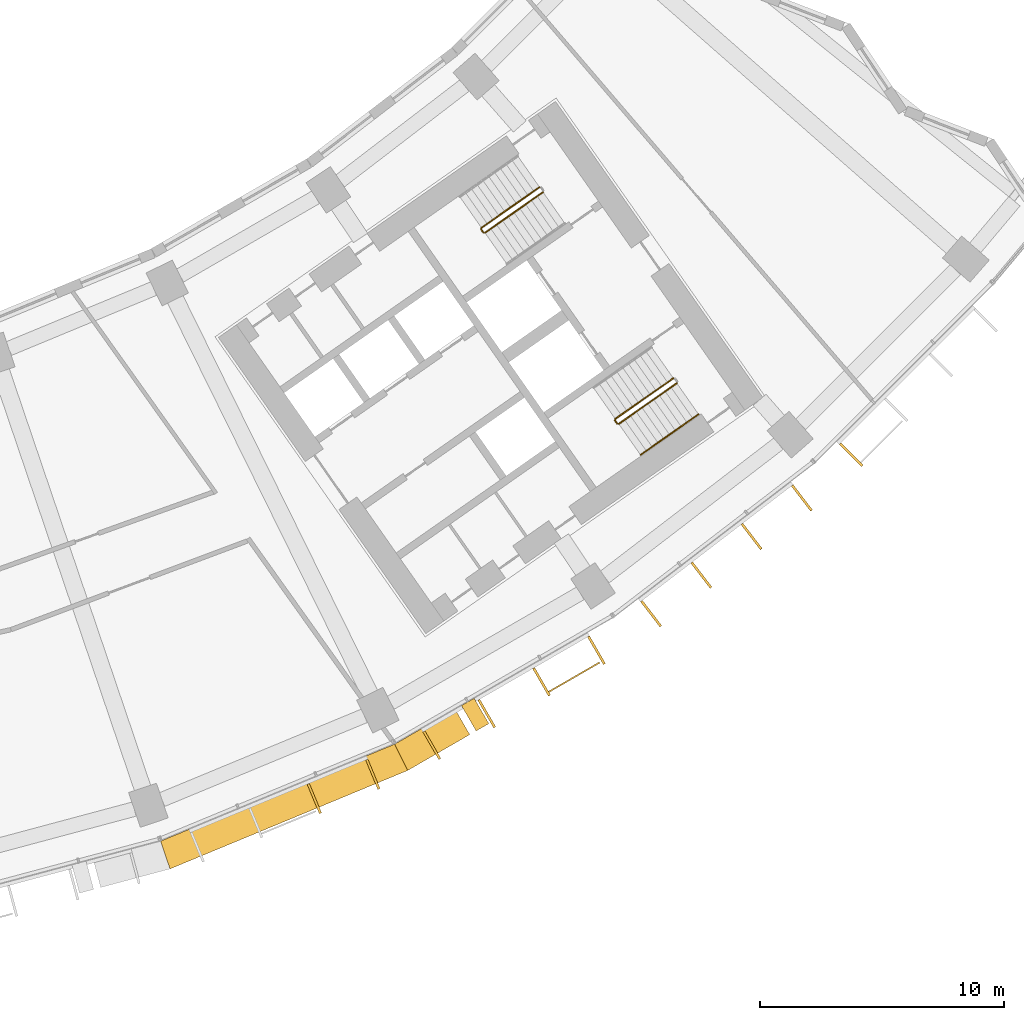
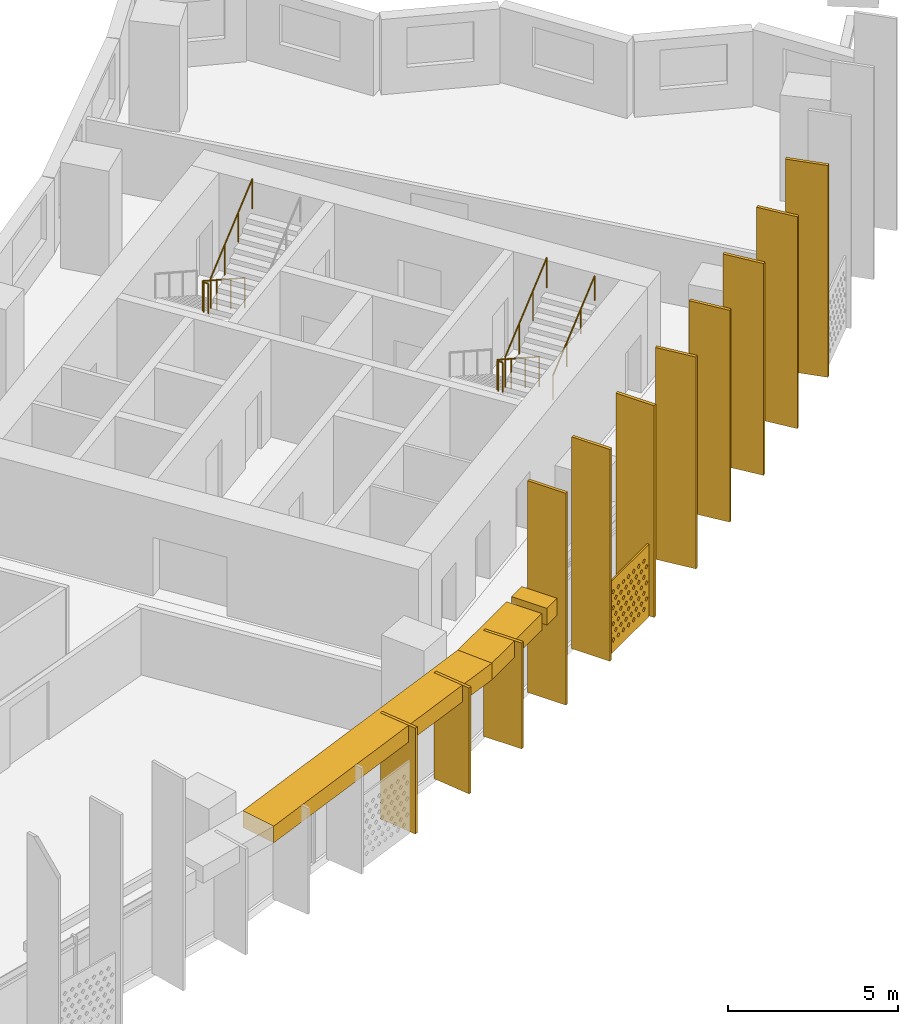
# One storey, part 28 of 29: 15 shading devices, 5 railings.
"""IFC4 building model written with IfcOpenShell, lengths in metres."""

from ifc_helpers import new_model, si_unit, direction, frame, origin, origin_2d, place, context, subcontext, project, spatial, polyline, rectangle, circle, outline, extrude, material, material_profile, profile_set, type_object, element, save


model = new_model("IFC4")

# Units and contexts
model_context = context("Model", 3, precision=1e-05, world=origin(), true_north=direction((0.0, 1.0)))
body_context = subcontext(model_context, "Body", "Model", "MODEL_VIEW")
ifc_project = project(units=[si_unit("LENGTHUNIT", "METRE"), si_unit("AREAUNIT", "SQUARE_METRE"), si_unit("VOLUMEUNIT", "CUBIC_METRE"), si_unit("PLANEANGLEUNIT", "RADIAN"), si_unit("MASSUNIT", "GRAM", prefix="KILO")], contexts=[model_context])

# Site, building, storey
site_placement = place(None, origin())
site = spatial("IfcSite", under=ifc_project, at=site_placement, CompositionType="ELEMENT")
building_placement = place(site_placement, origin())
building = spatial("IfcBuilding", under=site, at=building_placement, Name="Qamariyya Broadcast Tower", CompositionType="ELEMENT")
storey_placement = place(building_placement, frame((0.0, 0.0, 132.89990234375)))
storey = spatial("IfcBuildingStorey", under=building, at=storey_placement, Name="L30", CompositionType="ELEMENT", Elevation=132.89990234375)

# Shading devices
ifc_material_1 = material(Name="Steel S355 powder coated deep red", Category="steel")
shading_device_type_1 = type_object("IfcShadingDeviceType", Name="Deep red frame, powder coated steel box section", PredefinedType="USERDEFINED", material=ifc_material_1)
shading_device_1_placement = place(storey_placement, frame((0.0, 0.0, 3.2001953125)))
element("IfcShadingDevice", 1, at=shading_device_1_placement, inside=storey, type_object=shading_device_type_1, Name="e-frm-B2-F3-postb-L30", ObjectType="FRAME", PredefinedType="USERDEFINED", context=body_context, shape_type="SweptSolid", body=[
    extrude(outline(polyline([(37.80810546875, -69.543212890625), (38.408203125, -70.58251953125), (38.927734375, -70.282470703125), (38.32763671875, -69.2431640625), (37.80810546875, -69.543212890625)])), origin(), (0.0, 0.0, 1.0), 0.599853515625),
])
shading_device_2_placement = place(storey_placement, frame((0.0, 0.0, 3.2001953125)))
element("IfcShadingDevice", 2, at=shading_device_2_placement, inside=storey, type_object=shading_device_type_1, Name="e-frm-B2-F3-bot1", ObjectType="FRAME", PredefinedType="USERDEFINED", context=body_context, shape_type="SweptSolid", body=[
    extrude(outline(polyline([(25.490234375, -75.091552734375), (25.876708984375, -76.230224609375), (35.60546875, -72.20068359375), (35.073486328125, -71.1220703125), (25.490234375, -75.091552734375)])), origin(), (0.0, 0.0, 1.0), 0.599853515625),
])
shading_device_3_placement = place(storey_placement, frame((0.0, 0.0, 3.2001953125)))
element("IfcShadingDevice", 3, at=shading_device_3_placement, inside=storey, type_object=shading_device_type_1, Name="e-frm-B2-F3-bot2", ObjectType="FRAME", PredefinedType="USERDEFINED", context=body_context, shape_type="SweptSolid", body=[
    extrude(outline(polyline([(35.073486328125, -71.1220703125), (35.60546875, -72.20068359375), (38.148193359375, -70.732421875), (37.54833984375, -69.693115234375), (35.073486328125, -71.1220703125)])), origin(), (0.0, 0.0, 1.0), 0.599853515625),
])
ifc_material_2 = material(Name="Perforated glazed terracotta", Category="masonry")
ifc_material_profile_1 = material_profile(ifc_material_2, outline(polyline([(-1.199951171875, -1.300048828125), (1.199951171875, -1.300048828125), (1.199951171875, 1.300048828125), (-1.199951171875, 1.300048828125), (-1.199951171875, -1.300048828125)]), holes=[polyline([(-0.81494140625, -0.86669921875), (-0.89990234375, -0.78173828125), (-0.985107421875, -0.86669921875), (-0.89990234375, -0.95166015625), (-0.81494140625, -0.86669921875)]), polyline([(-0.514892578125, -0.86669921875), (-0.60009765625, -0.78173828125), (-0.68505859375, -0.86669921875), (-0.60009765625, -0.95166015625), (-0.514892578125, -0.86669921875)]), polyline([(-0.215087890625, -0.86669921875), (-0.300048828125, -0.78173828125), (-0.385009765625, -0.86669921875), (-0.300048828125, -0.95166015625), (-0.215087890625, -0.86669921875)]), polyline([(0.0849609375, -0.86669921875), (0.0, -0.78173828125), (-0.0849609375, -0.86669921875), (0.0, -0.95166015625), (0.0849609375, -0.86669921875)]), polyline([(0.385009765625, -0.86669921875), (0.300048828125, -0.78173828125), (0.215087890625, -0.86669921875), (0.300048828125, -0.95166015625), (0.385009765625, -0.86669921875)]), polyline([(0.68505859375, -0.86669921875), (0.60009765625, -0.78173828125), (0.514892578125, -0.86669921875), (0.60009765625, -0.95166015625), (0.68505859375, -0.86669921875)]), polyline([(0.985107421875, -0.86669921875), (0.89990234375, -0.78173828125), (0.81494140625, -0.86669921875), (0.89990234375, -0.95166015625), (0.985107421875, -0.86669921875)]), polyline([(-0.965087890625, -0.577880859375), (-1.050048828125, -0.49267578125), (-1.135009765625, -0.577880859375), (-1.050048828125, -0.662841796875), (-0.965087890625, -0.577880859375)]), polyline([(-0.6650390625, -0.577880859375), (-0.75, -0.49267578125), (-0.8349609375, -0.577880859375), (-0.75, -0.662841796875), (-0.6650390625, -0.577880859375)]), polyline([(-0.364990234375, -0.577880859375), (-0.449951171875, -0.49267578125), (-0.534912109375, -0.577880859375), (-0.449951171875, -0.662841796875), (-0.364990234375, -0.577880859375)]), polyline([(-0.06494140625, -0.577880859375), (-0.14990234375, -0.49267578125), (-0.235107421875, -0.577880859375), (-0.14990234375, -0.662841796875), (-0.06494140625, -0.577880859375)]), polyline([(0.235107421875, -0.577880859375), (0.14990234375, -0.49267578125), (0.06494140625, -0.577880859375), (0.14990234375, -0.662841796875), (0.235107421875, -0.577880859375)]), polyline([(0.534912109375, -0.577880859375), (0.449951171875, -0.49267578125), (0.364990234375, -0.577880859375), (0.449951171875, -0.662841796875), (0.534912109375, -0.577880859375)]), polyline([(0.8349609375, -0.577880859375), (0.75, -0.49267578125), (0.6650390625, -0.577880859375), (0.75, -0.662841796875), (0.8349609375, -0.577880859375)]), polyline([(1.135009765625, -0.577880859375), (1.050048828125, -0.49267578125), (0.965087890625, -0.577880859375), (1.050048828125, -0.662841796875), (1.135009765625, -0.577880859375)]), polyline([(-0.81494140625, -0.288818359375), (-0.89990234375, -0.203857421875), (-0.985107421875, -0.288818359375), (-0.89990234375, -0.373779296875), (-0.81494140625, -0.288818359375)]), polyline([(-0.514892578125, -0.288818359375), (-0.60009765625, -0.203857421875), (-0.68505859375, -0.288818359375), (-0.60009765625, -0.373779296875), (-0.514892578125, -0.288818359375)]), polyline([(-0.215087890625, -0.288818359375), (-0.300048828125, -0.203857421875), (-0.385009765625, -0.288818359375), (-0.300048828125, -0.373779296875), (-0.215087890625, -0.288818359375)]), polyline([(0.0849609375, -0.288818359375), (0.0, -0.203857421875), (-0.0849609375, -0.288818359375), (0.0, -0.373779296875), (0.0849609375, -0.288818359375)]), polyline([(0.385009765625, -0.288818359375), (0.300048828125, -0.203857421875), (0.215087890625, -0.288818359375), (0.300048828125, -0.373779296875), (0.385009765625, -0.288818359375)]), polyline([(0.68505859375, -0.288818359375), (0.60009765625, -0.203857421875), (0.514892578125, -0.288818359375), (0.60009765625, -0.373779296875), (0.68505859375, -0.288818359375)]), polyline([(0.985107421875, -0.288818359375), (0.89990234375, -0.203857421875), (0.81494140625, -0.288818359375), (0.89990234375, -0.373779296875), (0.985107421875, -0.288818359375)]), polyline([(-0.965087890625, 0.0), (-1.050048828125, 0.0849609375), (-1.135009765625, 0.0), (-1.050048828125, -0.0849609375), (-0.965087890625, 0.0)]), polyline([(-0.6650390625, 0.0), (-0.75, 0.0849609375), (-0.8349609375, 0.0), (-0.75, -0.0849609375), (-0.6650390625, 0.0)]), polyline([(-0.364990234375, 0.0), (-0.449951171875, 0.0849609375), (-0.534912109375, 0.0), (-0.449951171875, -0.0849609375), (-0.364990234375, 0.0)]), polyline([(-0.06494140625, 0.0), (-0.14990234375, 0.0849609375), (-0.235107421875, 0.0), (-0.14990234375, -0.0849609375), (-0.06494140625, 0.0)]), polyline([(0.235107421875, 0.0), (0.14990234375, 0.0849609375), (0.06494140625, 0.0), (0.14990234375, -0.0849609375), (0.235107421875, 0.0)]), polyline([(0.534912109375, 0.0), (0.449951171875, 0.0849609375), (0.364990234375, 0.0), (0.449951171875, -0.0849609375), (0.534912109375, 0.0)]), polyline([(0.8349609375, 0.0), (0.75, 0.0849609375), (0.6650390625, 0.0), (0.75, -0.0849609375), (0.8349609375, 0.0)]), polyline([(1.135009765625, 0.0), (1.050048828125, 0.0849609375), (0.965087890625, 0.0), (1.050048828125, -0.0849609375), (1.135009765625, 0.0)]), polyline([(-0.81494140625, 0.288818359375), (-0.89990234375, 0.373779296875), (-0.985107421875, 0.288818359375), (-0.89990234375, 0.203857421875), (-0.81494140625, 0.288818359375)]), polyline([(-0.514892578125, 0.288818359375), (-0.60009765625, 0.373779296875), (-0.68505859375, 0.288818359375), (-0.60009765625, 0.203857421875), (-0.514892578125, 0.288818359375)]), polyline([(-0.215087890625, 0.288818359375), (-0.300048828125, 0.373779296875), (-0.385009765625, 0.288818359375), (-0.300048828125, 0.203857421875), (-0.215087890625, 0.288818359375)]), polyline([(0.0849609375, 0.288818359375), (0.0, 0.373779296875), (-0.0849609375, 0.288818359375), (0.0, 0.203857421875), (0.0849609375, 0.288818359375)]), polyline([(0.385009765625, 0.288818359375), (0.300048828125, 0.373779296875), (0.215087890625, 0.288818359375), (0.300048828125, 0.203857421875), (0.385009765625, 0.288818359375)]), polyline([(0.68505859375, 0.288818359375), (0.60009765625, 0.373779296875), (0.514892578125, 0.288818359375), (0.60009765625, 0.203857421875), (0.68505859375, 0.288818359375)]), polyline([(0.985107421875, 0.288818359375), (0.89990234375, 0.373779296875), (0.81494140625, 0.288818359375), (0.89990234375, 0.203857421875), (0.985107421875, 0.288818359375)]), polyline([(-0.965087890625, 0.577880859375), (-1.050048828125, 0.662841796875), (-1.135009765625, 0.577880859375), (-1.050048828125, 0.49267578125), (-0.965087890625, 0.577880859375)]), polyline([(-0.6650390625, 0.577880859375), (-0.75, 0.662841796875), (-0.8349609375, 0.577880859375), (-0.75, 0.49267578125), (-0.6650390625, 0.577880859375)]), polyline([(-0.364990234375, 0.577880859375), (-0.449951171875, 0.662841796875), (-0.534912109375, 0.577880859375), (-0.449951171875, 0.49267578125), (-0.364990234375, 0.577880859375)]), polyline([(-0.06494140625, 0.577880859375), (-0.14990234375, 0.662841796875), (-0.235107421875, 0.577880859375), (-0.14990234375, 0.49267578125), (-0.06494140625, 0.577880859375)]), polyline([(0.235107421875, 0.577880859375), (0.14990234375, 0.662841796875), (0.06494140625, 0.577880859375), (0.14990234375, 0.49267578125), (0.235107421875, 0.577880859375)]), polyline([(0.534912109375, 0.577880859375), (0.449951171875, 0.662841796875), (0.364990234375, 0.577880859375), (0.449951171875, 0.49267578125), (0.534912109375, 0.577880859375)]), polyline([(0.8349609375, 0.577880859375), (0.75, 0.662841796875), (0.6650390625, 0.577880859375), (0.75, 0.49267578125), (0.8349609375, 0.577880859375)]), polyline([(1.135009765625, 0.577880859375), (1.050048828125, 0.662841796875), (0.965087890625, 0.577880859375), (1.050048828125, 0.49267578125), (1.135009765625, 0.577880859375)]), polyline([(-0.81494140625, 0.86669921875), (-0.89990234375, 0.95166015625), (-0.985107421875, 0.86669921875), (-0.89990234375, 0.78173828125), (-0.81494140625, 0.86669921875)]), polyline([(-0.514892578125, 0.86669921875), (-0.60009765625, 0.95166015625), (-0.68505859375, 0.86669921875), (-0.60009765625, 0.78173828125), (-0.514892578125, 0.86669921875)]), polyline([(-0.215087890625, 0.86669921875), (-0.300048828125, 0.95166015625), (-0.385009765625, 0.86669921875), (-0.300048828125, 0.78173828125), (-0.215087890625, 0.86669921875)]), polyline([(0.0849609375, 0.86669921875), (0.0, 0.95166015625), (-0.0849609375, 0.86669921875), (0.0, 0.78173828125), (0.0849609375, 0.86669921875)]), polyline([(0.385009765625, 0.86669921875), (0.300048828125, 0.95166015625), (0.215087890625, 0.86669921875), (0.300048828125, 0.78173828125), (0.385009765625, 0.86669921875)]), polyline([(0.68505859375, 0.86669921875), (0.60009765625, 0.95166015625), (0.514892578125, 0.86669921875), (0.60009765625, 0.78173828125), (0.68505859375, 0.86669921875)]), polyline([(0.985107421875, 0.86669921875), (0.89990234375, 0.95166015625), (0.81494140625, 0.86669921875), (0.89990234375, 0.78173828125), (0.985107421875, 0.86669921875)])]))
ifc_profile_set_1 = profile_set([ifc_material_profile_1], Name="Perforated glazed terracotta")
shading_device_type_2 = type_object("IfcShadingDeviceType", Name="Perforated terracotta screen 2400 x 2600", PredefinedType="USERDEFINED", material=ifc_profile_set_1)
shading_device_4_placement = place(storey_placement, frame((42.405517578125, -68.355224609375, 1.35009765625), z_axis=(0.500074377092, -0.865982457891, 0.0), x_axis=(0.865982457891, 0.500074377092, 0.0)))
element("IfcShadingDevice", 4, at=shading_device_4_placement, inside=storey, type_object=shading_device_type_2, Name="e-scr-L30-13-2", ObjectType="SCREEN", PredefinedType="USERDEFINED", context=body_context, shape_type="SweptSolid", body=[
    extrude(outline(polyline([(-1.199951171875, -1.300048828125), (1.199951171875, -1.300048828125), (1.199951171875, 1.300048828125), (-1.199951171875, 1.300048828125), (-1.199951171875, -1.300048828125)]), holes=[polyline([(-0.81494140625, -0.86669921875), (-0.89990234375, -0.78173828125), (-0.985107421875, -0.86669921875), (-0.89990234375, -0.95166015625), (-0.81494140625, -0.86669921875)]), polyline([(-0.514892578125, -0.86669921875), (-0.60009765625, -0.78173828125), (-0.68505859375, -0.86669921875), (-0.60009765625, -0.95166015625), (-0.514892578125, -0.86669921875)]), polyline([(-0.215087890625, -0.86669921875), (-0.300048828125, -0.78173828125), (-0.385009765625, -0.86669921875), (-0.300048828125, -0.95166015625), (-0.215087890625, -0.86669921875)]), polyline([(0.0849609375, -0.86669921875), (0.0, -0.78173828125), (-0.0849609375, -0.86669921875), (0.0, -0.95166015625), (0.0849609375, -0.86669921875)]), polyline([(0.385009765625, -0.86669921875), (0.300048828125, -0.78173828125), (0.215087890625, -0.86669921875), (0.300048828125, -0.95166015625), (0.385009765625, -0.86669921875)]), polyline([(0.68505859375, -0.86669921875), (0.60009765625, -0.78173828125), (0.514892578125, -0.86669921875), (0.60009765625, -0.95166015625), (0.68505859375, -0.86669921875)]), polyline([(0.985107421875, -0.86669921875), (0.89990234375, -0.78173828125), (0.81494140625, -0.86669921875), (0.89990234375, -0.95166015625), (0.985107421875, -0.86669921875)]), polyline([(-0.965087890625, -0.577880859375), (-1.050048828125, -0.49267578125), (-1.135009765625, -0.577880859375), (-1.050048828125, -0.662841796875), (-0.965087890625, -0.577880859375)]), polyline([(-0.6650390625, -0.577880859375), (-0.75, -0.49267578125), (-0.8349609375, -0.577880859375), (-0.75, -0.662841796875), (-0.6650390625, -0.577880859375)]), polyline([(-0.364990234375, -0.577880859375), (-0.449951171875, -0.49267578125), (-0.534912109375, -0.577880859375), (-0.449951171875, -0.662841796875), (-0.364990234375, -0.577880859375)]), polyline([(-0.06494140625, -0.577880859375), (-0.14990234375, -0.49267578125), (-0.235107421875, -0.577880859375), (-0.14990234375, -0.662841796875), (-0.06494140625, -0.577880859375)]), polyline([(0.235107421875, -0.577880859375), (0.14990234375, -0.49267578125), (0.06494140625, -0.577880859375), (0.14990234375, -0.662841796875), (0.235107421875, -0.577880859375)]), polyline([(0.534912109375, -0.577880859375), (0.449951171875, -0.49267578125), (0.364990234375, -0.577880859375), (0.449951171875, -0.662841796875), (0.534912109375, -0.577880859375)]), polyline([(0.8349609375, -0.577880859375), (0.75, -0.49267578125), (0.6650390625, -0.577880859375), (0.75, -0.662841796875), (0.8349609375, -0.577880859375)]), polyline([(1.135009765625, -0.577880859375), (1.050048828125, -0.49267578125), (0.965087890625, -0.577880859375), (1.050048828125, -0.662841796875), (1.135009765625, -0.577880859375)]), polyline([(-0.81494140625, -0.288818359375), (-0.89990234375, -0.203857421875), (-0.985107421875, -0.288818359375), (-0.89990234375, -0.373779296875), (-0.81494140625, -0.288818359375)]), polyline([(-0.514892578125, -0.288818359375), (-0.60009765625, -0.203857421875), (-0.68505859375, -0.288818359375), (-0.60009765625, -0.373779296875), (-0.514892578125, -0.288818359375)]), polyline([(-0.215087890625, -0.288818359375), (-0.300048828125, -0.203857421875), (-0.385009765625, -0.288818359375), (-0.300048828125, -0.373779296875), (-0.215087890625, -0.288818359375)]), polyline([(0.0849609375, -0.288818359375), (0.0, -0.203857421875), (-0.0849609375, -0.288818359375), (0.0, -0.373779296875), (0.0849609375, -0.288818359375)]), polyline([(0.385009765625, -0.288818359375), (0.300048828125, -0.203857421875), (0.215087890625, -0.288818359375), (0.300048828125, -0.373779296875), (0.385009765625, -0.288818359375)]), polyline([(0.68505859375, -0.288818359375), (0.60009765625, -0.203857421875), (0.514892578125, -0.288818359375), (0.60009765625, -0.373779296875), (0.68505859375, -0.288818359375)]), polyline([(0.985107421875, -0.288818359375), (0.89990234375, -0.203857421875), (0.81494140625, -0.288818359375), (0.89990234375, -0.373779296875), (0.985107421875, -0.288818359375)]), polyline([(-0.965087890625, 0.0), (-1.050048828125, 0.0849609375), (-1.135009765625, 0.0), (-1.050048828125, -0.0849609375), (-0.965087890625, 0.0)]), polyline([(-0.6650390625, 0.0), (-0.75, 0.0849609375), (-0.8349609375, 0.0), (-0.75, -0.0849609375), (-0.6650390625, 0.0)]), polyline([(-0.364990234375, 0.0), (-0.449951171875, 0.0849609375), (-0.534912109375, 0.0), (-0.449951171875, -0.0849609375), (-0.364990234375, 0.0)]), polyline([(-0.06494140625, 0.0), (-0.14990234375, 0.0849609375), (-0.235107421875, 0.0), (-0.14990234375, -0.0849609375), (-0.06494140625, 0.0)]), polyline([(0.235107421875, 0.0), (0.14990234375, 0.0849609375), (0.06494140625, 0.0), (0.14990234375, -0.0849609375), (0.235107421875, 0.0)]), polyline([(0.534912109375, 0.0), (0.449951171875, 0.0849609375), (0.364990234375, 0.0), (0.449951171875, -0.0849609375), (0.534912109375, 0.0)]), polyline([(0.8349609375, 0.0), (0.75, 0.0849609375), (0.6650390625, 0.0), (0.75, -0.0849609375), (0.8349609375, 0.0)]), polyline([(1.135009765625, 0.0), (1.050048828125, 0.0849609375), (0.965087890625, 0.0), (1.050048828125, -0.0849609375), (1.135009765625, 0.0)]), polyline([(-0.81494140625, 0.288818359375), (-0.89990234375, 0.373779296875), (-0.985107421875, 0.288818359375), (-0.89990234375, 0.203857421875), (-0.81494140625, 0.288818359375)]), polyline([(-0.514892578125, 0.288818359375), (-0.60009765625, 0.373779296875), (-0.68505859375, 0.288818359375), (-0.60009765625, 0.203857421875), (-0.514892578125, 0.288818359375)]), polyline([(-0.215087890625, 0.288818359375), (-0.300048828125, 0.373779296875), (-0.385009765625, 0.288818359375), (-0.300048828125, 0.203857421875), (-0.215087890625, 0.288818359375)]), polyline([(0.0849609375, 0.288818359375), (0.0, 0.373779296875), (-0.0849609375, 0.288818359375), (0.0, 0.203857421875), (0.0849609375, 0.288818359375)]), polyline([(0.385009765625, 0.288818359375), (0.300048828125, 0.373779296875), (0.215087890625, 0.288818359375), (0.300048828125, 0.203857421875), (0.385009765625, 0.288818359375)]), polyline([(0.68505859375, 0.288818359375), (0.60009765625, 0.373779296875), (0.514892578125, 0.288818359375), (0.60009765625, 0.203857421875), (0.68505859375, 0.288818359375)]), polyline([(0.985107421875, 0.288818359375), (0.89990234375, 0.373779296875), (0.81494140625, 0.288818359375), (0.89990234375, 0.203857421875), (0.985107421875, 0.288818359375)]), polyline([(-0.965087890625, 0.577880859375), (-1.050048828125, 0.662841796875), (-1.135009765625, 0.577880859375), (-1.050048828125, 0.49267578125), (-0.965087890625, 0.577880859375)]), polyline([(-0.6650390625, 0.577880859375), (-0.75, 0.662841796875), (-0.8349609375, 0.577880859375), (-0.75, 0.49267578125), (-0.6650390625, 0.577880859375)]), polyline([(-0.364990234375, 0.577880859375), (-0.449951171875, 0.662841796875), (-0.534912109375, 0.577880859375), (-0.449951171875, 0.49267578125), (-0.364990234375, 0.577880859375)]), polyline([(-0.06494140625, 0.577880859375), (-0.14990234375, 0.662841796875), (-0.235107421875, 0.577880859375), (-0.14990234375, 0.49267578125), (-0.06494140625, 0.577880859375)]), polyline([(0.235107421875, 0.577880859375), (0.14990234375, 0.662841796875), (0.06494140625, 0.577880859375), (0.14990234375, 0.49267578125), (0.235107421875, 0.577880859375)]), polyline([(0.534912109375, 0.577880859375), (0.449951171875, 0.662841796875), (0.364990234375, 0.577880859375), (0.449951171875, 0.49267578125), (0.534912109375, 0.577880859375)]), polyline([(0.8349609375, 0.577880859375), (0.75, 0.662841796875), (0.6650390625, 0.577880859375), (0.75, 0.49267578125), (0.8349609375, 0.577880859375)]), polyline([(1.135009765625, 0.577880859375), (1.050048828125, 0.662841796875), (0.965087890625, 0.577880859375), (1.050048828125, 0.49267578125), (1.135009765625, 0.577880859375)]), polyline([(-0.81494140625, 0.86669921875), (-0.89990234375, 0.95166015625), (-0.985107421875, 0.86669921875), (-0.89990234375, 0.78173828125), (-0.81494140625, 0.86669921875)]), polyline([(-0.514892578125, 0.86669921875), (-0.60009765625, 0.95166015625), (-0.68505859375, 0.86669921875), (-0.60009765625, 0.78173828125), (-0.514892578125, 0.86669921875)]), polyline([(-0.215087890625, 0.86669921875), (-0.300048828125, 0.95166015625), (-0.385009765625, 0.86669921875), (-0.300048828125, 0.78173828125), (-0.215087890625, 0.86669921875)]), polyline([(0.0849609375, 0.86669921875), (0.0, 0.95166015625), (-0.0849609375, 0.86669921875), (0.0, 0.78173828125), (0.0849609375, 0.86669921875)]), polyline([(0.385009765625, 0.86669921875), (0.300048828125, 0.95166015625), (0.215087890625, 0.86669921875), (0.300048828125, 0.78173828125), (0.385009765625, 0.86669921875)]), polyline([(0.68505859375, 0.86669921875), (0.60009765625, 0.95166015625), (0.514892578125, 0.86669921875), (0.60009765625, 0.78173828125), (0.68505859375, 0.86669921875)]), polyline([(0.985107421875, 0.86669921875), (0.89990234375, 0.95166015625), (0.81494140625, 0.86669921875), (0.89990234375, 0.78173828125), (0.985107421875, 0.86669921875)])]), origin(), (0.0, 0.0, 1.0), 0.06005859375),
])

# Railings
ifc_material_3 = material(Name="Painted steel", Category="steel")
railing_type_1 = type_object("IfcRailingType", Name="Stair guard", PredefinedType="GUARDRAIL", material=ifc_material_3)
railing_1_placement = place(storey_placement, frame((41.003173828125, -48.320068359375, 0.1728515625)))
element("IfcRailing", 5, at=railing_1_placement, inside=storey, type_object=railing_type_1, Name="L30 ST-E2 stair guard 1", PredefinedType="GUARDRAIL", context=body_context, shape_type="SweptSolid", body=[
    extrude(circle(Radius=0.02392578125, at=origin_2d()), frame((0.0, 0.0, 1.076171875), z_axis=(-0.703770094002, -0.492783725636, 0.511734163933), x_axis=(0.573575343427, -0.819152809562, 0.0)), (0.0, 0.0, 1.0), 3.37548828125),
    extrude(circle(Radius=0.02392578125, at=origin_2d()), frame((-2.37548828125, -1.663330078125, 2.80322265625), z_axis=(-0.172799478008, -0.984957024646, 0.0), x_axis=(0.984957024646, -0.172799478008, 0.0)), (0.0, 0.0, 1.0), 0.070556640625),
    extrude(circle(Radius=0.02392578125, at=origin_2d()), frame((-2.3876953125, -1.73291015625, 2.80322265625), z_axis=(0.572588637393, -0.819842821722, 0.0), x_axis=(0.819842821722, 0.572588637393, 0.0)), (0.0, 0.0, 1.0), 0.150146484375),
    extrude(circle(Radius=0.02099609375, at=origin_2d()), origin(), (0.0, 0.0, 1.0), 1.052001953125),
    extrude(circle(Radius=0.02099609375, at=origin_2d()), frame((-0.791748046875, -0.554443359375, 0.57568359375)), (0.0, 0.0, 1.0), 1.052001953125),
    extrude(circle(Radius=0.02099609375, at=origin_2d()), frame((-1.583740234375, -1.10888671875, 1.151611328125)), (0.0, 0.0, 1.0), 1.052001953125),
    extrude(circle(Radius=0.02099609375, at=origin_2d()), frame((-2.37548828125, -1.663330078125, 1.727294921875)), (0.0, 0.0, 1.0), 1.052001953125),
    extrude(circle(Radius=0.02099609375, at=origin_2d()), frame((-2.3876953125, -1.73291015625, 1.727294921875)), (0.0, 0.0, 1.0), 1.052001953125),
    extrude(circle(Radius=0.02099609375, at=origin_2d()), frame((-2.3017578125, -1.85595703125, 1.727294921875)), (0.0, 0.0, 1.0), 1.052001953125),
])
railing_2_placement = place(storey_placement, frame((38.771240234375, -50.188232421875, 2.07275390625)))
element("IfcRailing", 6, at=railing_2_placement, inside=storey, type_object=railing_type_1, Name="L30 ST-E2 stair guard 2", PredefinedType="GUARDRAIL", context=body_context, shape_type="SweptSolid", body=[
    extrude(circle(Radius=0.02392578125, at=origin_2d()), frame((0.0, 0.0, 1.076171875), z_axis=(0.703770094002, 0.492783725636, 0.511734163933), x_axis=(-0.573575343427, 0.819152809562, 0.0)), (0.0, 0.0, 1.0), 3.37548828125),
    extrude(circle(Radius=0.02099609375, at=origin_2d()), origin(), (0.0, 0.0, 1.0), 1.052001953125),
    extrude(circle(Radius=0.02099609375, at=origin_2d()), frame((0.791748046875, 0.554443359375, 0.57568359375)), (0.0, 0.0, 1.0), 1.052001953125),
    extrude(circle(Radius=0.02099609375, at=origin_2d()), frame((1.583740234375, 1.10888671875, 1.151611328125)), (0.0, 0.0, 1.0), 1.052001953125),
    extrude(circle(Radius=0.02099609375, at=origin_2d()), frame((2.37548828125, 1.663330078125, 1.727294921875)), (0.0, 0.0, 1.0), 1.052001953125),
])
railing_3_placement = place(storey_placement, frame((46.48095703125, -56.14306640625, 0.1728515625)))
element("IfcRailing", 7, at=railing_3_placement, inside=storey, type_object=railing_type_1, Name="L30 ST-E1 stair guard 1", PredefinedType="GUARDRAIL", context=body_context, shape_type="SweptSolid", body=[
    extrude(circle(Radius=0.02392578125, at=origin_2d()), frame((0.0, 0.0, 1.076171875), z_axis=(-0.703770094002, -0.492783725636, 0.511734163933), x_axis=(0.573575343427, -0.819152809562, 0.0)), (0.0, 0.0, 1.0), 3.37548828125),
    extrude(circle(Radius=0.02392578125, at=origin_2d()), frame((-2.37548828125, -1.663330078125, 2.80322265625), z_axis=(-0.176149252506, -0.984363469884, 0.0), x_axis=(0.984363469884, -0.176149252506, 0.0)), (0.0, 0.0, 1.0), 0.07080078125),
    extrude(circle(Radius=0.02392578125, at=origin_2d()), frame((-2.387939453125, -1.73291015625, 2.80322265625), z_axis=(0.574444878118, -0.818543268254, 0.0), x_axis=(0.818543268254, 0.574444878118, 0.0)), (0.0, 0.0, 1.0), 0.150146484375),
    extrude(circle(Radius=0.02099609375, at=origin_2d()), origin(), (0.0, 0.0, 1.0), 1.052001953125),
    extrude(circle(Radius=0.02099609375, at=origin_2d()), frame((-0.791748046875, -0.554443359375, 0.57568359375)), (0.0, 0.0, 1.0), 1.052001953125),
    extrude(circle(Radius=0.02099609375, at=origin_2d()), frame((-1.583740234375, -1.10888671875, 1.151611328125)), (0.0, 0.0, 1.0), 1.052001953125),
    extrude(circle(Radius=0.02099609375, at=origin_2d()), frame((-2.37548828125, -1.663330078125, 1.727294921875)), (0.0, 0.0, 1.0), 1.052001953125),
    extrude(circle(Radius=0.02099609375, at=origin_2d()), frame((-2.387939453125, -1.73291015625, 1.727294921875)), (0.0, 0.0, 1.0), 1.052001953125),
    extrude(circle(Radius=0.02099609375, at=origin_2d()), frame((-2.3017578125, -1.855712890625, 1.727294921875)), (0.0, 0.0, 1.0), 1.052001953125),
])
railing_4_placement = place(storey_placement, frame((44.248779296875, -58.01123046875, 2.07275390625)))
element("IfcRailing", 8, at=railing_4_placement, inside=storey, type_object=railing_type_1, Name="L30 ST-E1 stair guard 2", PredefinedType="GUARDRAIL", context=body_context, shape_type="SweptSolid", body=[
    extrude(circle(Radius=0.02392578125, at=origin_2d()), frame((0.0, 0.0, 1.076171875), z_axis=(0.703745009021, 0.492838488332, 0.511715923826), x_axis=(-0.573631830683, 0.819113253969, 0.0)), (0.0, 0.0, 1.0), 3.37548828125),
    extrude(circle(Radius=0.02099609375, at=origin_2d()), origin(), (0.0, 0.0, 1.0), 1.052001953125),
    extrude(circle(Radius=0.02099609375, at=origin_2d()), frame((0.791748046875, 0.554443359375, 0.57568359375)), (0.0, 0.0, 1.0), 1.052001953125),
    extrude(circle(Radius=0.02099609375, at=origin_2d()), frame((1.583740234375, 1.109130859375, 1.151611328125)), (0.0, 0.0, 1.0), 1.052001953125),
    extrude(circle(Radius=0.02099609375, at=origin_2d()), frame((2.37548828125, 1.66357421875, 1.727294921875)), (0.0, 0.0, 1.0), 1.052001953125),
])
ifc_material_4 = material(Name="Stainless steel", Category="steel")
railing_type_2 = type_object("IfcRailingType", Name="Stair handrail", PredefinedType="HANDRAIL", material=ifc_material_4)
railing_5_placement = place(storey_placement, frame((45.137939453125, -59.28076171875, 2.07275390625)))
element("IfcRailing", 9, at=railing_5_placement, inside=storey, type_object=railing_type_2, Name="L30 ST-E1 stair handrail 2", PredefinedType="HANDRAIL", context=body_context, shape_type="SweptSolid", body=[
    extrude(circle(Radius=0.02392578125, at=origin_2d()), frame((0.0, 0.0, 0.8759765625), z_axis=(0.703770094002, 0.492783725636, 0.511734163933), x_axis=(-0.573575343427, 0.819152809562, 0.0)), (0.0, 0.0, 1.0), 3.37548828125),
    extrude(circle(Radius=0.02099609375, at=origin_2d()), origin(), (0.0, 0.0, 1.0), 0.851806640625),
    extrude(circle(Radius=0.02099609375, at=origin_2d()), frame((0.791748046875, 0.554443359375, 0.57568359375)), (0.0, 0.0, 1.0), 0.851806640625),
    extrude(circle(Radius=0.02099609375, at=origin_2d()), frame((1.583740234375, 1.10888671875, 1.151611328125)), (0.0, 0.0, 1.0), 0.851806640625),
    extrude(circle(Radius=0.02099609375, at=origin_2d()), frame((2.37548828125, 1.663330078125, 1.727294921875)), (0.0, 0.0, 1.0), 0.851806640625),
])

# Shading devices
ifc_material_5 = material(Name="Glazed terracotta", Category="masonry")
ifc_material_profile_2 = material_profile(ifc_material_5, rectangle(XDim=1.300048828125, YDim=0.10009765625, at=origin_2d()))
ifc_profile_set_2 = profile_set([ifc_material_profile_2], Name="Glazed terracotta")
shading_device_type_3 = type_object("IfcShadingDeviceType", Name="Terracotta fin 100 x 1300", PredefinedType="USERDEFINED", material=ifc_profile_set_2)
for number, where, z_axis, x_axis, name in (
    (10, (31.785888671875, -73.349609375, 0.0), (0.0, 0.0, 1.0), (0.382683432365, -0.923879532511, 0.0), "e-fin-L30-12-2"),
    (11, (34.181640625, -72.357421875, 0.0), (0.0, 0.0, 1.0), (0.382683432365, -0.923879532511, 0.0), "e-fin-L30-12-3"),
    (12, (36.596435546875, -71.16650390625, 0.0), (0.0, 0.0, 1.0), (0.5, -0.866025403784, 0.0), "e-fin-L30-13-0"),
):
    element("IfcShadingDevice", number, at=place(storey_placement, frame(where, z_axis=z_axis, x_axis=x_axis)), inside=storey, type_object=shading_device_type_3, Name=name, ObjectType="FIN", PredefinedType="USERDEFINED", context=body_context, shape_type="SweptSolid", body=[
        extrude(rectangle(XDim=1.300048828125, YDim=0.10009765625, at=origin_2d()), origin(), (0.0, 0.0, 1.0), 3.800048828125),
    ])
for number, where, z_axis, x_axis, name in (
    (13, (38.84228515625, -69.869873046875, 0.0), (0.0, 0.0, 1.0), (0.5, -0.866025403784, 0.0), "e-fin-L30-13-1"),
    (14, (41.087890625, -68.5732421875, 0.0), (0.0, 0.0, 1.0), (0.5, -0.866025403784, 0.0), "e-fin-L30-13-2"),
    (15, (43.333740234375, -67.276611328125, 0.0), (0.0, 0.0, 1.0), (0.5, -0.866025403784, 0.0), "e-fin-L30-13-3"),
    (16, (45.572509765625, -65.781005859375, 0.0), (0.0, 0.0, 1.0), (0.608761429009, -0.793353340291, 0.0), "e-fin-L30-14-0"),
    (17, (47.629638671875, -64.2021484375, 0.0), (0.0, 0.0, 1.0), (0.608761429009, -0.793353340291, 0.0), "e-fin-L30-14-1"),
    (18, (49.68701171875, -62.62353515625, 0.0), (0.0, 0.0, 1.0), (0.608761429009, -0.793353340291, 0.0), "e-fin-L30-14-2"),
    (19, (51.744384765625, -61.044921875, 0.0), (0.0, 0.0, 1.0), (0.608761429009, -0.793353340291, 0.0), "e-fin-L30-14-3"),
    (20, (53.7685546875, -59.269775390625, 0.0), (0.0, 0.0, 1.0), (0.707106781187, -0.707106781187, 0.0), "e-fin-L30-15-0"),
):
    element("IfcShadingDevice", number, at=place(storey_placement, frame(where, z_axis=z_axis, x_axis=x_axis)), inside=storey, type_object=shading_device_type_3, Name=name, ObjectType="FIN", PredefinedType="USERDEFINED", context=body_context, shape_type="SweptSolid", body=[
        extrude(rectangle(XDim=1.300048828125, YDim=0.10009765625, at=origin_2d()), origin(), (0.0, 0.0, 1.0), 7.60009765625),
    ])

save(model, "model.ifc")
